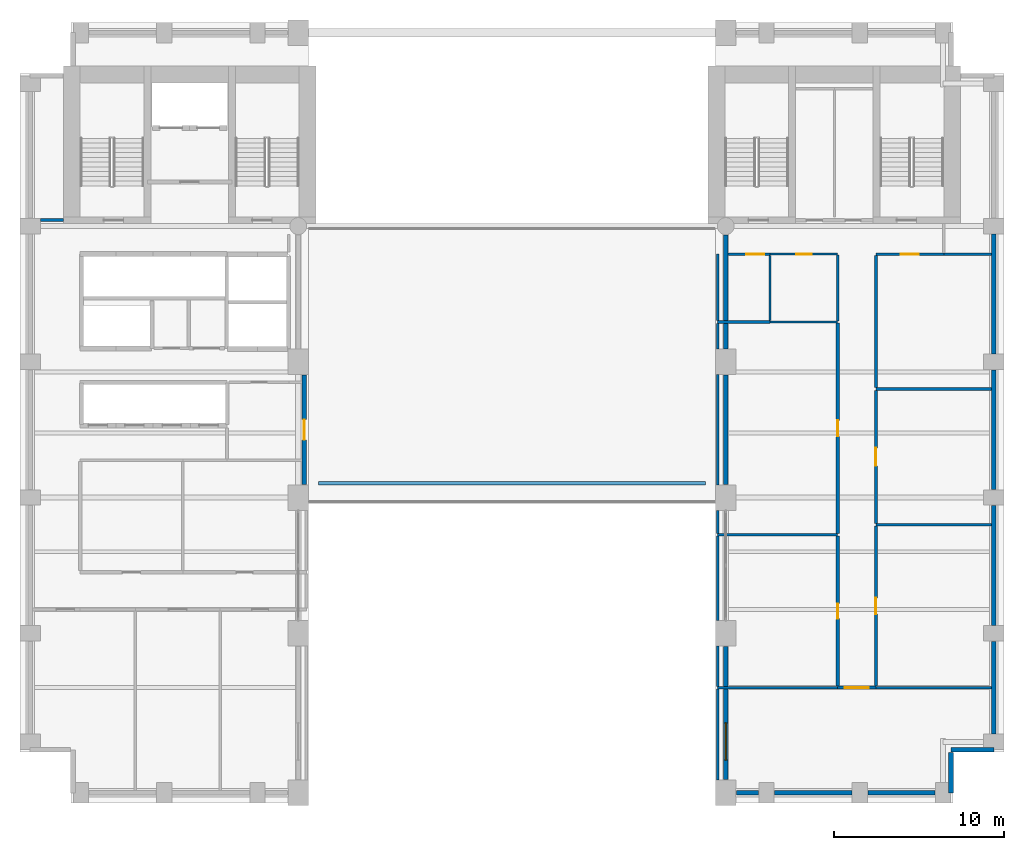
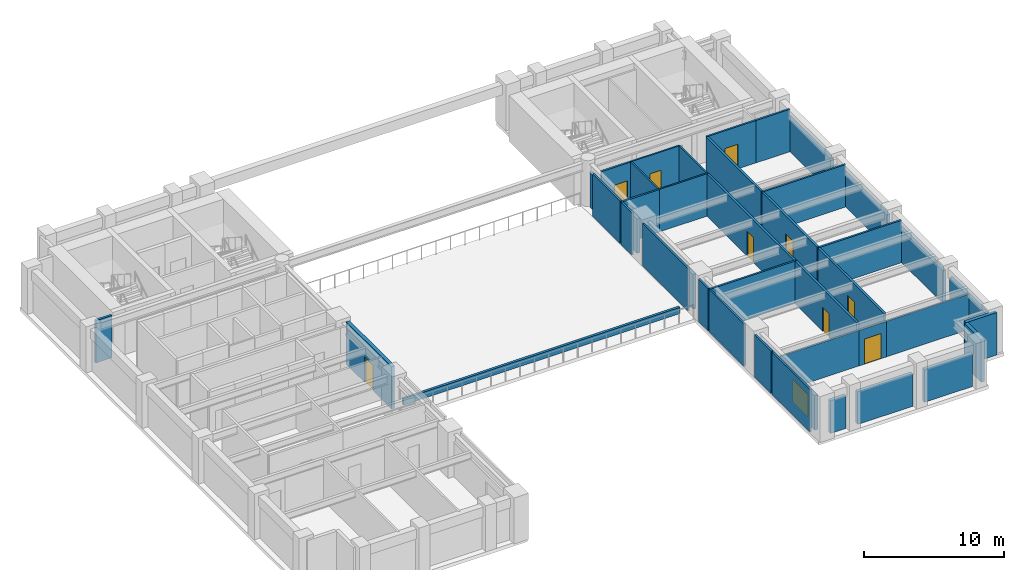
# One storey, part 6 of 12: 41 walls, 9 doors, 1 window, 10 openings.
"""IFC4 building model written with IfcOpenShell, lengths in metres."""

from ifc_helpers import new_model, si_unit, direction, frame, frame_2d, origin, place, context, subcontext, project, spatial, rectangle, extrude, material, layer, layer_set, type_object, element, fill, save


model = new_model("IFC4")

# Units and contexts
model_context = context("Model", 3, precision=1e-05, world=origin(), true_north=direction((0.0, 1.0)))
body_context = subcontext(model_context, "Body", "Model", "MODEL_VIEW")
ifc_project = project(units=[si_unit("LENGTHUNIT", "METRE"), si_unit("AREAUNIT", "SQUARE_METRE"), si_unit("VOLUMEUNIT", "CUBIC_METRE"), si_unit("PLANEANGLEUNIT", "RADIAN"), si_unit("MASSUNIT", "GRAM", prefix="KILO")], contexts=[model_context])

# Site, building, storey
site_placement = place(None, origin())
site = spatial("IfcSite", under=ifc_project, at=site_placement, CompositionType="ELEMENT")
building_placement = place(site_placement, origin())
building = spatial("IfcBuilding", under=site, at=building_placement, Name="Sulina Concourse Tower", CompositionType="ELEMENT")
storey_placement = place(building_placement, frame((0.0, 0.0, 38.60009765625)))
storey = spatial("IfcBuildingStorey", under=building, at=storey_placement, Name="L09", CompositionType="ELEMENT", Elevation=38.60009765625)

# Walls
ifc_material_1 = material(Name="Gypsum board on steel stud", Category="steel")
ifc_layer_1 = layer(ifc_material_1, 0.14990234375)
ifc_layer_set_1 = layer_set([ifc_layer_1], Name="Gypsum board on steel stud")
wall_type_1 = type_object("IfcWallType", Name="Inter-Tenancy Acoustic Partition 150mm", PredefinedType="PARTITIONING", material=ifc_layer_set_1)
wall_1_placement = place(storey_placement, frame((41.1201171875, 6.800048828125, 0.0), z_axis=(0.0, 0.0, 1.0), x_axis=(1.0, 0.0, 0.0)))
element("IfcWall", 1, at=wall_1_placement, inside=storey, type_object=wall_type_1, Name="L09 interior partition 001", PredefinedType="PARTITIONING", context=body_context, shape_type="SweptSolid", body=[
    extrude(rectangle(XDim=7.079833984375, YDim=0.14990234375, at=frame_2d((3.5400390625, 0.0))), origin(), (0.0, 0.0, 1.0), 3.094970703125),
])
wall_2_placement = place(storey_placement, frame((50.449951171875, 6.800048828125, 0.0), z_axis=(0.0, 0.0, 1.0), x_axis=(1.0, 0.0, 0.0)))
element("IfcWall", 2, at=wall_2_placement, inside=storey, type_object=wall_type_1, Name="L09 interior partition 003", PredefinedType="PARTITIONING", context=body_context, shape_type="SweptSolid", body=[
    extrude(rectangle(XDim=6.81005859375, YDim=0.14990234375, at=frame_2d((3.405029296875, 0.0))), origin(), (0.0, 0.0, 1.0), 3.094970703125),
])
wall_3_placement = place(storey_placement, frame((41.1201171875, 15.800048828125, 0.0), z_axis=(0.0, 0.0, 1.0), x_axis=(1.0, 0.0, 0.0)))
element("IfcWall", 3, at=wall_3_placement, inside=storey, type_object=wall_type_1, Name="L09 interior partition 010", PredefinedType="PARTITIONING", context=body_context, shape_type="SweptSolid", body=[
    extrude(rectangle(XDim=7.079833984375, YDim=0.14990234375, at=frame_2d((3.5400390625, 0.0))), origin(), (0.0, 0.0, 1.0), 3.699951171875),
])
for number, where, z_axis, x_axis, name in (
    (4, (50.449951171875, 16.39990234375, 0.0), (0.0, 0.0, 1.0), (1.0, 0.0, 0.0), "L09 interior partition 011"),
    (5, (50.449951171875, 24.39990234375, 0.0), (0.0, 0.0, 1.0), (1.0, 0.0, 0.0), "L09 interior partition 015"),
):
    element("IfcWall", number, at=place(storey_placement, frame(where, z_axis=z_axis, x_axis=x_axis)), inside=storey, type_object=wall_type_1, Name=name, PredefinedType="PARTITIONING", context=body_context, shape_type="SweptSolid", body=[
        extrude(rectangle(XDim=6.81005859375, YDim=0.14990234375, at=frame_2d((3.405029296875, 0.0))), origin(), (0.0, 0.0, 1.0), 3.699951171875),
    ])
wall_4_placement = place(storey_placement, frame((41.1201171875, 28.35009765625, 0.0), z_axis=(0.0, 0.0, 1.0), x_axis=(1.0, 0.0, 0.0)))
element("IfcWall", 6, at=wall_4_placement, inside=storey, type_object=wall_type_1, Name="L09 interior partition 020", PredefinedType="PARTITIONING", context=body_context, shape_type="SweptSolid", body=[
    extrude(rectangle(XDim=3.079833984375, YDim=0.14990234375, at=frame_2d((1.5400390625, 0.0))), origin(), (0.0, 0.0, 1.0), 3.699951171875),
])

# Wall, opening, door
wall_5_placement = place(storey_placement, frame((41.739990234375, 32.35009765625, 0.0), z_axis=(0.0, 0.0, 1.0), x_axis=(1.0, 0.0, 0.0)))
wall_5 = element("IfcWall", 7, at=wall_5_placement, inside=storey, type_object=wall_type_1, Name="L09 interior partition 022", PredefinedType="PARTITIONING", context=body_context, shape_type="SweptSolid", body=[
    extrude(rectangle(XDim=2.4599609375, YDim=0.14990234375, at=frame_2d((1.22998046875, 0.0))), origin(), (0.0, 0.0, 1.0), 3.699951171875),
])
opening_1_placement = place(wall_5_placement, frame((1.06494140625, 0.0, 0.0)))
opening_1 = element("IfcOpeningElement", 8, at=opening_1_placement, cuts=wall_5, Name="Opening DR-37", PredefinedType="OPENING", context=body_context, shape_type="SweptSolid", body=[
    extrude(rectangle(XDim=1.050048828125, YDim=2.14990234375, at=frame_2d((0.52490234375, 1.074951171875))), frame((0.0, 0.0849609375, 0.0), z_axis=(0.0, -1.0, 0.0), x_axis=(1.0, 0.0, 0.0)), (0.0, 0.0, 1.0), 0.169921875),
])
ifc_material_2 = material(Name="Oak-veneered fire door leaf")
ifc_layer_2 = layer(ifc_material_2, 0.050048828125)
ifc_layer_set_2 = layer_set([ifc_layer_2], Name="Oak-veneered fire door leaf")
door_type_1 = type_object("IfcDoorType", Name="Tenant Suite Entrance Fire Door 1050x2150", OperationType="NOTDEFINED", PredefinedType="DOOR", material=ifc_layer_set_2)
door_1_placement = place(opening_1_placement, origin())
door_1 = element("IfcDoor", 9, at=door_1_placement, inside=storey, type_object=door_type_1, Name="L09 interior door L09-REC-EW", OperationType="SINGLE_SWING_LEFT", OverallHeight=2.14990234375, OverallWidth=1.050048828125, PredefinedType="DOOR", context=body_context, shape_type="SweptSolid", body=[
    extrude(rectangle(XDim=1.050048828125, YDim=2.14990234375, at=frame_2d((0.52490234375, 1.074951171875))), frame((0.0, 0.02490234375, 0.0), z_axis=(0.0, -1.0, 0.0), x_axis=(1.0, 0.0, 0.0)), (0.0, 0.0, 1.0), 0.050048828125),
])
fill(opening_1, door_1)

wall_6_placement = place(storey_placement, frame((50.449951171875, 32.35009765625, 0.0), z_axis=(0.0, 0.0, 1.0), x_axis=(1.0, 0.0, 0.0)))
wall_6 = element("IfcWall", 10, at=wall_6_placement, inside=storey, type_object=wall_type_1, Name="L09 interior partition 024", PredefinedType="PARTITIONING", context=body_context, shape_type="SweptSolid", body=[
    extrude(rectangle(XDim=4.0, YDim=0.14990234375, at=frame_2d((2.0, 0.0))), origin(), (0.0, 0.0, 1.0), 3.699951171875),
])
opening_2_placement = place(wall_6_placement, frame((1.47509765625, 0.0, 0.0)))
opening_2 = element("IfcOpeningElement", 11, at=opening_2_placement, cuts=wall_6, Name="Opening DR-37", PredefinedType="OPENING", context=body_context, shape_type="SweptSolid", body=[
    extrude(rectangle(XDim=1.050048828125, YDim=2.14990234375, at=frame_2d((0.52490234375, 1.074951171875))), frame((0.0, 0.0849609375, 0.0), z_axis=(0.0, -1.0, 0.0), x_axis=(1.0, 0.0, 0.0)), (0.0, 0.0, 1.0), 0.169921875),
])
door_2_placement = place(opening_2_placement, origin())
door_2 = element("IfcDoor", 12, at=door_2_placement, inside=storey, type_object=door_type_1, Name="L09 interior door L09-OFF-E3", OperationType="SINGLE_SWING_LEFT", OverallHeight=2.14990234375, OverallWidth=1.050048828125, PredefinedType="DOOR", context=body_context, shape_type="SweptSolid", body=[
    extrude(rectangle(XDim=1.050048828125, YDim=2.14990234375, at=frame_2d((0.52490234375, 1.074951171875))), frame((0.0, 0.02490234375, 0.0), z_axis=(0.0, -1.0, 0.0), x_axis=(1.0, 0.0, 0.0)), (0.0, 0.0, 1.0), 0.050048828125),
])
fill(opening_2, door_2)

# Walls
wall_7_placement = place(storey_placement, frame((54.449951171875, 32.35009765625, 0.0), z_axis=(0.0, 0.0, 1.0), x_axis=(1.0, 0.0, 0.0)))
element("IfcWall", 13, at=wall_7_placement, inside=storey, type_object=wall_type_1, Name="L09 interior partition 025", PredefinedType="PARTITIONING", context=body_context, shape_type="SweptSolid", body=[
    extrude(rectangle(XDim=2.81005859375, YDim=0.14990234375, at=frame_2d((1.405029296875, 0.0))), origin(), (0.0, 0.0, 1.0), 3.699951171875),
])
wall_8_placement = place(storey_placement, frame((41.1201171875, 1.35009765625, 0.0), z_axis=(0.0, 0.0, 1.0), x_axis=(0.0, 1.0, 0.0)))
element("IfcWall", 14, at=wall_8_placement, inside=storey, type_object=wall_type_1, Name="L09 interior partition 039", PredefinedType="PARTITIONING", context=body_context, shape_type="SweptSolid", body=[
    extrude(rectangle(XDim=5.375, YDim=0.14990234375, at=frame_2d((2.6875, 0.0))), origin(), (0.0, 0.0, 1.0), 3.699951171875),
])
wall_9_placement = place(storey_placement, frame((41.1201171875, 6.875, 0.0), z_axis=(0.0, 0.0, 1.0), x_axis=(0.0, 1.0, 0.0)))
element("IfcWall", 15, at=wall_9_placement, inside=storey, type_object=wall_type_1, Name="L09 interior partition 040", PredefinedType="PARTITIONING", context=body_context, shape_type="SweptSolid", body=[
    extrude(rectangle(XDim=2.375, YDim=0.14990234375, at=frame_2d((1.1875, 0.0))), origin(), (0.0, 0.0, 1.0), 3.699951171875),
])
wall_10_placement = place(storey_placement, frame((41.1201171875, 10.75, 0.0), z_axis=(0.0, 0.0, 1.0), x_axis=(0.0, 1.0, 0.0)))
element("IfcWall", 16, at=wall_10_placement, inside=storey, type_object=wall_type_1, Name="L09 interior partition 041", PredefinedType="PARTITIONING", context=body_context, shape_type="SweptSolid", body=[
    extrude(rectangle(XDim=4.97509765625, YDim=0.14990234375, at=frame_2d((2.487548828125, 0.0))), origin(), (0.0, 0.0, 1.0), 3.699951171875),
])
wall_11_placement = place(storey_placement, frame((41.1201171875, 15.875, 0.0), z_axis=(0.0, 0.0, 1.0), x_axis=(0.0, 1.0, 0.0)))
element("IfcWall", 17, at=wall_11_placement, inside=storey, type_object=wall_type_1, Name="L09 interior partition 042", PredefinedType="PARTITIONING", context=body_context, shape_type="SweptSolid", body=[
    extrude(rectangle(XDim=1.375, YDim=0.14990234375, at=frame_2d((0.6875, 0.0))), origin(), (0.0, 0.0, 1.0), 3.699951171875),
])
wall_12_placement = place(storey_placement, frame((41.1201171875, 18.75, 0.0), z_axis=(0.0, 0.0, 1.0), x_axis=(0.0, 1.0, 0.0)))
element("IfcWall", 18, at=wall_12_placement, inside=storey, type_object=wall_type_1, Name="L09 interior partition 043", PredefinedType="PARTITIONING", context=body_context, shape_type="SweptSolid", body=[
    extrude(rectangle(XDim=6.5, YDim=0.14990234375, at=frame_2d((3.25, 0.0))), origin(), (0.0, 0.0, 1.0), 3.699951171875),
])
wall_13_placement = place(storey_placement, frame((41.1201171875, 26.75, 0.0), z_axis=(0.0, 0.0, 1.0), x_axis=(0.0, 1.0, 0.0)))
element("IfcWall", 19, at=wall_13_placement, inside=storey, type_object=wall_type_1, Name="L09 interior partition 044", PredefinedType="PARTITIONING", context=body_context, shape_type="SweptSolid", body=[
    extrude(rectangle(XDim=1.52490234375, YDim=0.14990234375, at=frame_2d((0.762451171875, 0.0))), origin(), (0.0, 0.0, 1.0), 3.699951171875),
])
wall_14_placement = place(storey_placement, frame((41.1201171875, 28.425048828125, 0.0), z_axis=(0.0, 0.0, 1.0), x_axis=(0.0, 1.0, 0.0)))
element("IfcWall", 20, at=wall_14_placement, inside=storey, type_object=wall_type_1, Name="L09 interior partition 045", PredefinedType="PARTITIONING", context=body_context, shape_type="SweptSolid", body=[
    extrude(rectangle(XDim=3.925048828125, YDim=0.14990234375, at=frame_2d((1.96240234375, 0.0))), origin(), (0.0, 0.0, 1.0), 3.699951171875),
])
ifc_material_3 = material(Name="Precast concrete C50/60", Category="concrete")
ifc_layer_3 = layer(ifc_material_3, 0.199951171875)
ifc_layer_set_3 = layer_set([ifc_layer_3], Name="Precast concrete C50/60")
wall_type_2 = type_object("IfcWallType", Name="Landscaped Terrace Planter Wall 200mm", PredefinedType="USERDEFINED", material=ifc_layer_set_3)
wall_15_placement = place(storey_placement, frame((17.60009765625, 18.85009765625, 0.0), z_axis=(0.0, 0.0, 1.0), x_axis=(1.0, 0.0, 0.0)))
element("IfcWall", 21, at=wall_15_placement, inside=storey, type_object=wall_type_2, Name="L09 landscaped terrace planter wall TER-LP3", ObjectType="PLANTER", PredefinedType="USERDEFINED", context=body_context, shape_type="SweptSolid", body=[
    extrude(rectangle(XDim=22.7998046875, YDim=0.199951171875, at=frame_2d((11.39990234375, 0.0))), origin(), (0.0, 0.0, 1.0), 0.5498046875),
])

# Wall, opening, door
ifc_material_4 = material(Name="Gypsum board on steel stud", Category="steel")
ifc_layer_4 = layer(ifc_material_4, 0.179931640625)
ifc_layer_set_4 = layer_set([ifc_layer_4], Name="Gypsum board on steel stud")
wall_type_3 = type_object("IfcWallType", Name="Protected Corridor & Riser Partition 180mm", PredefinedType="PARTITIONING", material=ifc_layer_set_4)
wall_16_placement = place(storey_placement, frame((48.199951171875, 6.800048828125, 0.0), z_axis=(0.0, 0.0, 1.0), x_axis=(1.0, 0.0, 0.0)))
wall_16 = element("IfcWall", 22, at=wall_16_placement, inside=storey, type_object=wall_type_3, Name="L09 interior partition 002", PredefinedType="PARTITIONING", context=body_context, shape_type="SweptSolid", body=[
    extrude(rectangle(XDim=2.25, YDim=0.179931640625, at=frame_2d((1.125, 0.0))), origin(), (0.0, 0.0, 1.0), 3.094970703125),
])
opening_3_placement = place(wall_16_placement, frame((0.425048828125, 0.0, 0.0)))
opening_3 = element("IfcOpeningElement", 23, at=opening_3_placement, cuts=wall_16, Name="Opening DR-57", PredefinedType="OPENING", context=body_context, shape_type="SweptSolid", body=[
    extrude(rectangle(XDim=1.39990234375, YDim=2.199951171875, at=frame_2d((0.699951171875, 1.10009765625))), frame((0.0, 0.099853515625, 0.0), z_axis=(0.0, -1.0, 0.0), x_axis=(1.0, 0.0, 0.0)), (0.0, 0.0, 1.0), 0.199951171875),
])
ifc_material_5 = material(Name="Oak-veneered fire door leaf")
ifc_layer_5 = layer(ifc_material_5, 0.054931640625)
ifc_layer_set_5 = layer_set([ifc_layer_5], Name="Oak-veneered fire door leaf")
door_type_2 = type_object("IfcDoorType", Name="Core Lift Lobby Double Fire Door 1400x2200", OperationType="DOUBLE_DOOR_SINGLE_SWING", PredefinedType="DOOR", material=ifc_layer_set_5)
door_3_placement = place(opening_3_placement, origin())
door_3 = element("IfcDoor", 24, at=door_3_placement, inside=storey, type_object=door_type_2, Name="L09 interior door L09-FOR-E1", OperationType="DOUBLE_DOOR_SINGLE_SWING", OverallHeight=2.199951171875, OverallWidth=1.39990234375, PredefinedType="DOOR", context=body_context, shape_type="SweptSolid", body=[
    extrude(rectangle(XDim=1.39990234375, YDim=2.199951171875, at=frame_2d((0.699951171875, 1.10009765625))), frame((0.0, 0.02490234375, 0.0), z_axis=(0.0, -1.0, 0.0), x_axis=(1.0, 0.0, 0.0)), (0.0, 0.0, 1.0), 0.050048828125),
])
fill(opening_3, door_3)

# Wall
wall_17_placement = place(storey_placement, frame((1.199951171875, 34.35009765625, 0.0), z_axis=(0.0, 0.0, 1.0), x_axis=(1.0, 0.0, 0.0)))
element("IfcWall", 25, at=wall_17_placement, inside=storey, type_object=wall_type_3, Name="L09 interior partition 026", PredefinedType="PARTITIONING", context=body_context, shape_type="SweptSolid", body=[
    extrude(rectangle(XDim=1.35009765625, YDim=0.179931640625, at=frame_2d((0.675048828125, 0.0))), origin(), (0.0, 0.0, 1.0), 3.699951171875),
])

# Wall, opening, door
wall_18_placement = place(storey_placement, frame((48.199951171875, 6.889892578125, 0.0), z_axis=(0.0, 0.0, 1.0), x_axis=(0.0, 1.0, 0.0)))
wall_18 = element("IfcWall", 26, at=wall_18_placement, inside=storey, type_object=wall_type_3, Name="L09 interior partition 048", PredefinedType="PARTITIONING", context=body_context, shape_type="SweptSolid", body=[
    extrude(rectangle(XDim=8.835205078125, YDim=0.179931640625, at=frame_2d((4.41748046875, 0.0))), origin(), (0.0, 0.0, 1.0), 3.699951171875),
])
opening_4_placement = place(wall_18_placement, frame((3.9775390625, 0.0, 0.0)))
opening_4 = element("IfcOpeningElement", 27, at=opening_4_placement, cuts=wall_18, Name="Opening DR-38", PredefinedType="OPENING", context=body_context, shape_type="SweptSolid", body=[
    extrude(rectangle(XDim=0.8798828125, YDim=2.10009765625, at=frame_2d((0.43994140625, 1.050048828125))), frame((0.0, 0.099853515625, 0.0), z_axis=(0.0, -1.0, 0.0), x_axis=(1.0, 0.0, 0.0)), (0.0, 0.0, 1.0), 0.199951171875),
])
ifc_material_6 = material(Name="Galvanised steel acoustic fire leaf", Category="steel")
ifc_layer_6 = layer(ifc_material_6, 0.050048828125)
ifc_layer_set_6 = layer_set([ifc_layer_6], Name="Galvanised steel acoustic fire leaf")
door_type_3 = type_object("IfcDoorType", Name="Service Riser Fire Door 880x2100", OperationType="NOTDEFINED", PredefinedType="DOOR", material=ifc_layer_set_6)
door_4_placement = place(opening_4_placement, origin())
door_4 = element("IfcDoor", 28, at=door_4_placement, inside=storey, type_object=door_type_3, Name="L09 interior door L09-STR-E1", OperationType="SINGLE_SWING_RIGHT", OverallHeight=2.10009765625, OverallWidth=0.8798828125, PredefinedType="DOOR", context=body_context, shape_type="SweptSolid", body=[
    extrude(rectangle(XDim=0.8798828125, YDim=2.10009765625, at=frame_2d((0.43994140625, 1.050048828125))), frame((0.0, 0.02490234375, 0.0), z_axis=(0.0, -1.0, 0.0), x_axis=(1.0, 0.0, 0.0)), (0.0, 0.0, 1.0), 0.050048828125),
])
fill(opening_4, door_4)

wall_19_placement = place(storey_placement, frame((48.199951171875, 15.875, 0.0), z_axis=(0.0, 0.0, 1.0), x_axis=(0.0, 1.0, 0.0)))
wall_19 = element("IfcWall", 29, at=wall_19_placement, inside=storey, type_object=wall_type_3, Name="L09 interior partition 049", PredefinedType="PARTITIONING", context=body_context, shape_type="SweptSolid", body=[
    extrude(rectangle(XDim=12.41259765625, YDim=0.179931640625, at=frame_2d((6.206298828125, 0.0))), origin(), (0.0, 0.0, 1.0), 3.699951171875),
])
opening_5_placement = place(wall_19_placement, frame((5.731201171875, 0.0, 0.0)))
opening_5 = element("IfcOpeningElement", 30, at=opening_5_placement, cuts=wall_19, Name="Opening DR-19", PredefinedType="OPENING", context=body_context, shape_type="SweptSolid", body=[
    extrude(rectangle(XDim=0.949951171875, YDim=2.14990234375, at=frame_2d((0.47509765625, 1.074951171875))), frame((0.0, 0.099853515625, 0.0), z_axis=(0.0, -1.0, 0.0), x_axis=(1.0, 0.0, 0.0)), (0.0, 0.0, 1.0), 0.199951171875),
])
ifc_material_7 = material(Name="Oak-veneered acoustic timber leaf", Category="wood")
ifc_layer_7 = layer(ifc_material_7, 0.050048828125)
ifc_layer_set_7 = layer_set([ifc_layer_7], Name="Oak-veneered acoustic timber leaf")
door_type_4 = type_object("IfcDoorType", Name="Cellular Office & Meeting Door 950x2150", OperationType="NOTDEFINED", PredefinedType="DOOR", material=ifc_layer_set_7)
door_5_placement = place(opening_5_placement, origin())
door_5 = element("IfcDoor", 31, at=door_5_placement, inside=storey, type_object=door_type_4, Name="L09 interior door L09-MTG-E2", OperationType="SINGLE_SWING_LEFT", OverallHeight=2.14990234375, OverallWidth=0.949951171875, PredefinedType="DOOR", context=body_context, shape_type="SweptSolid", body=[
    extrude(rectangle(XDim=0.949951171875, YDim=2.14990234375, at=frame_2d((0.47509765625, 1.074951171875))), frame((0.0, 0.02490234375, 0.0), z_axis=(0.0, -1.0, 0.0), x_axis=(1.0, 0.0, 0.0)), (0.0, 0.0, 1.0), 0.050048828125),
])
fill(opening_5, door_5)

wall_20_placement = place(storey_placement, frame((50.449951171875, 6.889892578125, 0.0), z_axis=(0.0, 0.0, 1.0), x_axis=(0.0, 1.0, 0.0)))
wall_20 = element("IfcWall", 32, at=wall_20_placement, inside=storey, type_object=wall_type_3, Name="L09 interior partition 051", PredefinedType="PARTITIONING", context=body_context, shape_type="SweptSolid", body=[
    extrude(rectangle(XDim=9.43505859375, YDim=0.179931640625, at=frame_2d((4.717529296875, 0.0))), origin(), (0.0, 0.0, 1.0), 3.699951171875),
])
opening_6_placement = place(wall_20_placement, frame((4.242431640625, 0.0, 0.0)))
opening_6 = element("IfcOpeningElement", 33, at=opening_6_placement, cuts=wall_20, Name="Opening DR-19", PredefinedType="OPENING", context=body_context, shape_type="SweptSolid", body=[
    extrude(rectangle(XDim=0.949951171875, YDim=2.14990234375, at=frame_2d((0.47509765625, 1.074951171875))), frame((0.0, 0.099853515625, 0.0), z_axis=(0.0, -1.0, 0.0), x_axis=(1.0, 0.0, 0.0)), (0.0, 0.0, 1.0), 0.199951171875),
])
door_6_placement = place(opening_6_placement, origin())
door_6 = element("IfcDoor", 34, at=door_6_placement, inside=storey, type_object=door_type_4, Name="L09 interior door L09-STD-E1", OperationType="SINGLE_SWING_RIGHT", OverallHeight=2.14990234375, OverallWidth=0.949951171875, PredefinedType="DOOR", context=body_context, shape_type="SweptSolid", body=[
    extrude(rectangle(XDim=0.949951171875, YDim=2.14990234375, at=frame_2d((0.47509765625, 1.074951171875))), frame((0.0, 0.02490234375, 0.0), z_axis=(0.0, -1.0, 0.0), x_axis=(1.0, 0.0, 0.0)), (0.0, 0.0, 1.0), 0.050048828125),
])
fill(opening_6, door_6)

wall_21_placement = place(storey_placement, frame((50.449951171875, 16.47509765625, 0.0), z_axis=(0.0, 0.0, 1.0), x_axis=(0.0, 1.0, 0.0)))
wall_21 = element("IfcWall", 35, at=wall_21_placement, inside=storey, type_object=wall_type_3, Name="L09 interior partition 052", PredefinedType="PARTITIONING", context=body_context, shape_type="SweptSolid", body=[
    extrude(rectangle(XDim=7.849853515625, YDim=0.179931640625, at=frame_2d((3.9248046875, 0.0))), origin(), (0.0, 0.0, 1.0), 3.699951171875),
])
opening_7_placement = place(wall_21_placement, frame((3.39990234375, 0.0, 0.0)))
opening_7 = element("IfcOpeningElement", 36, at=opening_7_placement, cuts=wall_21, Name="Opening DR-37", PredefinedType="OPENING", context=body_context, shape_type="SweptSolid", body=[
    extrude(rectangle(XDim=1.050048828125, YDim=2.14990234375, at=frame_2d((0.52490234375, 1.074951171875))), frame((0.0, 0.099853515625, 0.0), z_axis=(0.0, -1.0, 0.0), x_axis=(1.0, 0.0, 0.0)), (0.0, 0.0, 1.0), 0.199951171875),
])
door_7_placement = place(opening_7_placement, origin())
door_7 = element("IfcDoor", 37, at=door_7_placement, inside=storey, type_object=door_type_1, Name="L09 interior door L09-OFF-E2", OperationType="SINGLE_SWING_LEFT", OverallHeight=2.14990234375, OverallWidth=1.050048828125, PredefinedType="DOOR", context=body_context, shape_type="SweptSolid", body=[
    extrude(rectangle(XDim=1.050048828125, YDim=2.14990234375, at=frame_2d((0.52490234375, 1.074951171875))), frame((0.0, 0.02490234375, 0.0), z_axis=(0.0, -1.0, 0.0), x_axis=(1.0, 0.0, 0.0)), (0.0, 0.0, 1.0), 0.050048828125),
])
fill(opening_7, door_7)

# Walls
wall_22_placement = place(storey_placement, frame((50.449951171875, 24.47509765625, 0.0), z_axis=(0.0, 0.0, 1.0), x_axis=(0.0, 1.0, 0.0)))
element("IfcWall", 38, at=wall_22_placement, inside=storey, type_object=wall_type_3, Name="L09 interior partition 053", PredefinedType="PARTITIONING", context=body_context, shape_type="SweptSolid", body=[
    extrude(rectangle(XDim=7.7998046875, YDim=0.179931640625, at=frame_2d((3.89990234375, 0.0))), origin(), (0.0, 0.0, 1.0), 3.699951171875),
])
ifc_material_8 = material(Name="Precast concrete C50/60", Category="concrete")
ifc_layer_8 = layer(ifc_material_8, 0.280029296875)
ifc_layer_set_8 = layer_set([ifc_layer_8], Name="Precast concrete C50/60")
wall_type_4 = type_object("IfcWallType", Name="Typical Precast Masonry-Frame Facade Wall 280mm", PredefinedType="SOLIDWALL", material=ifc_layer_set_8)
wall_23_placement = place(storey_placement, frame((43.530029296875, 0.60009765625, 0.0), z_axis=(0.0, 0.0, 1.0), x_axis=(-1.0, 0.0, 0.0)))
element("IfcWall", 39, at=wall_23_placement, inside=storey, type_object=wall_type_4, Name="L09 exterior precast wall S5", PredefinedType="SOLIDWALL", context=body_context, shape_type="SweptSolid", body=[
    extrude(rectangle(XDim=1.31005859375, YDim=0.280029296875, at=frame_2d((0.655029296875, 0.0))), origin(), (0.0, 0.0, 1.0), 2.849853515625),
])
wall_24_placement = place(storey_placement, frame((49.030029296875, 0.60009765625, 0.0), z_axis=(0.0, 0.0, 1.0), x_axis=(-1.0, 0.0, 0.0)))
element("IfcWall", 40, at=wall_24_placement, inside=storey, type_object=wall_type_4, Name="L09 exterior precast wall S6", PredefinedType="SOLIDWALL", context=body_context, shape_type="SweptSolid", body=[
    extrude(rectangle(XDim=4.56005859375, YDim=0.280029296875, at=frame_2d((2.280029296875, 0.0))), origin(), (0.0, 0.0, 1.0), 2.849853515625),
])
wall_25_placement = place(storey_placement, frame((53.929931640625, 0.60009765625, 0.0), z_axis=(0.0, 0.0, 1.0), x_axis=(-1.0, 0.0, 0.0)))
element("IfcWall", 41, at=wall_25_placement, inside=storey, type_object=wall_type_4, Name="L09 exterior precast wall S7", PredefinedType="SOLIDWALL", context=body_context, shape_type="SweptSolid", body=[
    extrude(rectangle(XDim=3.9599609375, YDim=0.280029296875, at=frame_2d((1.97998046875, 0.0))), origin(), (0.0, 0.0, 1.0), 2.849853515625),
])
wall_26_placement = place(storey_placement, frame((57.39990234375, 9.530029296875, 0.0), z_axis=(0.0, 0.0, 1.0), x_axis=(0.0, -1.0, 0.0)))
element("IfcWall", 42, at=wall_26_placement, inside=storey, type_object=wall_type_4, Name="L09 exterior precast wall E1", PredefinedType="SOLIDWALL", context=body_context, shape_type="SweptSolid", body=[
    extrude(rectangle(XDim=5.4599609375, YDim=0.280029296875, at=frame_2d((2.72998046875, 0.0))), origin(), (0.0, 0.0, 1.0), 2.849853515625),
])
for number, where, z_axis, x_axis, name in (
    (43, (57.39990234375, 17.530029296875, 0.0), (0.0, 0.0, 1.0), (0.0, -1.0, 0.0), "L09 exterior precast wall E2"),
    (44, (57.39990234375, 25.530029296875, 0.0), (0.0, 0.0, 1.0), (0.0, -1.0, 0.0), "L09 exterior precast wall E3"),
    (45, (57.39990234375, 33.530029296875, 0.0), (0.0, 0.0, 1.0), (0.0, -1.0, 0.0), "L09 exterior precast wall E4"),
):
    element("IfcWall", number, at=place(storey_placement, frame(where, z_axis=z_axis, x_axis=x_axis)), inside=storey, type_object=wall_type_4, Name=name, PredefinedType="SOLIDWALL", context=body_context, shape_type="SweptSolid", body=[
        extrude(rectangle(XDim=7.06005859375, YDim=0.280029296875, at=frame_2d((3.530029296875, 0.0))), origin(), (0.0, 0.0, 1.0), 2.849853515625),
    ])
wall_27_placement = place(storey_placement, frame((57.39990234375, 3.1298828125, 0.0), z_axis=(0.0, 0.0, 1.0), x_axis=(-1.0, 0.0, 0.0)))
element("IfcWall", 46, at=wall_27_placement, inside=storey, type_object=wall_type_4, Name="L09 exterior precast wall CSE1", PredefinedType="SOLIDWALL", context=body_context, shape_type="SweptSolid", body=[
    extrude(rectangle(XDim=2.52978515625, YDim=0.280029296875, at=frame_2d((1.264892578125, 0.0))), origin(), (0.0, 0.0, 1.0), 3.699951171875),
])
wall_28_placement = place(storey_placement, frame((54.8701171875, 2.985107421875, 0.0), z_axis=(0.0, 0.0, 1.0), x_axis=(0.0, -1.0, 0.0)))
element("IfcWall", 47, at=wall_28_placement, inside=storey, type_object=wall_type_4, Name="L09 exterior precast wall CSE2", PredefinedType="SOLIDWALL", context=body_context, shape_type="SweptSolid", body=[
    extrude(rectangle(XDim=2.385009765625, YDim=0.280029296875, at=frame_2d((1.1923828125, 0.0))), origin(), (0.0, 0.0, 1.0), 3.699951171875),
])

# Wall, opening, window
wall_29_placement = place(storey_placement, frame((41.60009765625, 1.3701171875, 0.0), z_axis=(0.0, 0.0, 1.0), x_axis=(0.0, 1.0, 0.0)))
wall_29 = element("IfcWall", 48, at=wall_29_placement, inside=storey, type_object=wall_type_4, Name="L09 exterior precast wall PE1", PredefinedType="SOLIDWALL", context=body_context, shape_type="SweptSolid", body=[
    extrude(rectangle(XDim=7.85986328125, YDim=0.280029296875, at=frame_2d((3.929931640625, 0.0))), origin(), (0.0, 0.0, 1.0), 3.0),
])
opening_8_placement = place(wall_29_placement, frame((1.1533203125, 0.0, 0.419921875)))
opening_8 = element("IfcOpeningElement", 49, at=opening_8_placement, cuts=wall_29, Name="Opening WN-76", PredefinedType="OPENING", context=body_context, shape_type="SweptSolid", body=[
    extrude(rectangle(XDim=2.199951171875, YDim=1.949951171875, at=frame_2d((1.10009765625, 0.97509765625))), frame((0.0, 0.14990234375, 0.0), z_axis=(0.0, -1.0, 0.0), x_axis=(1.0, 0.0, 0.0)), (0.0, 0.0, 1.0), 0.300048828125),
])
ifc_material_9 = material(Name="Low-E solar double glazing in bronze aluminium", Category="aluminium")
window_type = type_object("IfcWindowType", Name="Recessed Spandrel Window 2200x1950", PartitioningType="DOUBLE_PANEL_VERTICAL", PredefinedType="WINDOW", material=ifc_material_9)
window_placement = place(opening_8_placement, origin())
window = element("IfcWindow", 50, at=window_placement, inside=storey, type_object=window_type, Name="L09 punched window PE1-1", OverallHeight=1.949951171875, OverallWidth=2.199951171875, PartitioningType="SINGLE_PANEL", PredefinedType="WINDOW", context=body_context, shape_type="SweptSolid", body=[
    extrude(rectangle(XDim=2.199951171875, YDim=1.949951171875, at=frame_2d((1.10009765625, 0.97509765625))), frame((0.0, 0.030029296875, 0.0), z_axis=(0.0, -1.0, 0.0), x_axis=(1.0, 0.0, 0.0)), (0.0, 0.0, 1.0), 0.06005859375),
])
fill(opening_8, window)

# Wall, opening, door
wall_30_placement = place(storey_placement, frame((16.75, 25.22998046875, 0.0), z_axis=(0.0, 0.0, 1.0), x_axis=(0.0, -1.0, 0.0)))
wall_30 = element("IfcWall", 51, at=wall_30_placement, inside=storey, type_object=wall_type_4, Name="L09 exterior precast wall PW3", PredefinedType="SOLIDWALL", context=body_context, shape_type="SweptSolid", body=[
    extrude(rectangle(XDim=6.4599609375, YDim=0.280029296875, at=frame_2d((3.22998046875, 0.0))), origin(), (0.0, 0.0, 1.0), 3.699951171875),
])
opening_9_placement = place(wall_30_placement, frame((2.6298828125, 0.0, 0.0)))
opening_9 = element("IfcOpeningElement", 52, at=opening_9_placement, cuts=wall_30, Name="Opening DR-22", PredefinedType="OPENING", context=body_context, shape_type="SweptSolid", body=[
    extrude(rectangle(XDim=1.199951171875, YDim=2.25, at=frame_2d((0.60009765625, 1.125))), frame((0.0, 0.14990234375, 0.0), z_axis=(0.0, -1.0, 0.0), x_axis=(1.0, 0.0, 0.0)), (0.0, 0.0, 1.0), 0.300048828125),
])
ifc_material_10 = material(Name="Anodised bronze aluminium and glazed leaf", Category="aluminium")
ifc_layer_9 = layer(ifc_material_10, 0.054931640625)
ifc_layer_set_9 = layer_set([ifc_layer_9], Name="Anodised bronze aluminium and glazed leaf")
door_type_5 = type_object("IfcDoorType", Name="Planted Terrace & Sky-Deck Door 1200x2250", OperationType="NOTDEFINED", PredefinedType="DOOR", material=ifc_layer_set_9)
door_8_placement = place(opening_9_placement, origin())
door_8 = element("IfcDoor", 53, at=door_8_placement, inside=storey, type_object=door_type_5, Name="L09 exterior door TD-PW", OperationType="SINGLE_SWING_RIGHT", OverallHeight=2.25, OverallWidth=1.199951171875, PredefinedType="DOOR", context=body_context, shape_type="SweptSolid", body=[
    extrude(rectangle(XDim=1.199951171875, YDim=2.25, at=frame_2d((0.60009765625, 1.125))), frame((0.0, 0.02490234375, 0.0), z_axis=(0.0, -1.0, 0.0), x_axis=(1.0, 0.0, 0.0)), (0.0, 0.0, 1.0), 0.050048828125),
])
fill(opening_9, door_8)

# Walls
wall_31_placement = place(storey_placement, frame((41.60009765625, 18.77001953125, 0.0), z_axis=(0.0, 0.0, 1.0), x_axis=(0.0, 1.0, 0.0)))
element("IfcWall", 54, at=wall_31_placement, inside=storey, type_object=wall_type_4, Name="L09 exterior precast wall PE3", PredefinedType="SOLIDWALL", context=body_context, shape_type="SweptSolid", body=[
    extrude(rectangle(XDim=6.4599609375, YDim=0.280029296875, at=frame_2d((3.22998046875, 0.0))), origin(), (0.0, 0.0, 1.0), 3.0),
])
wall_32_placement = place(storey_placement, frame((41.60009765625, 26.77001953125, 0.0), z_axis=(0.0, 0.0, 1.0), x_axis=(0.0, 1.0, 0.0)))
element("IfcWall", 55, at=wall_32_placement, inside=storey, type_object=wall_type_4, Name="L09 exterior precast wall PE4", PredefinedType="SOLIDWALL", context=body_context, shape_type="SweptSolid", body=[
    extrude(rectangle(XDim=6.7099609375, YDim=0.280029296875, at=frame_2d((3.35498046875, 0.0))), origin(), (0.0, 0.0, 1.0), 3.0),
])
ifc_material_11 = material(Name="Gypsum board on steel stud", Category="steel")
ifc_layer_10 = layer(ifc_material_11, 0.125)
ifc_layer_set_10 = layer_set([ifc_layer_10], Name="Gypsum board on steel stud")
wall_type_5 = type_object("IfcWallType", Name="Wet-Area Moisture-Resistant Partition 125mm", PredefinedType="PARTITIONING", material=ifc_layer_set_10)
wall_33_placement = place(storey_placement, frame((44.199951171875, 28.35009765625, 0.0), z_axis=(0.0, 0.0, 1.0), x_axis=(1.0, 0.0, 0.0)))
element("IfcWall", 56, at=wall_33_placement, inside=storey, type_object=wall_type_5, Name="L09 interior partition 021", PredefinedType="PARTITIONING", context=body_context, shape_type="SweptSolid", body=[
    extrude(rectangle(XDim=4.0, YDim=0.125, at=frame_2d((2.0, 0.0))), origin(), (0.0, 0.0, 1.0), 3.699951171875),
])

# Wall, opening, door
wall_34_placement = place(storey_placement, frame((44.199951171875, 32.35009765625, 0.0), z_axis=(0.0, 0.0, 1.0), x_axis=(1.0, 0.0, 0.0)))
wall_34 = element("IfcWall", 57, at=wall_34_placement, inside=storey, type_object=wall_type_5, Name="L09 interior partition 023", PredefinedType="PARTITIONING", context=body_context, shape_type="SweptSolid", body=[
    extrude(rectangle(XDim=4.0, YDim=0.125, at=frame_2d((2.0, 0.0))), origin(), (0.0, 0.0, 1.0), 3.699951171875),
])
opening_10_placement = place(wall_34_placement, frame((1.5400390625, 0.0, 0.0)))
opening_10 = element("IfcOpeningElement", 58, at=opening_10_placement, cuts=wall_34, Name="Opening DR-61", PredefinedType="OPENING", context=body_context, shape_type="SweptSolid", body=[
    extrude(rectangle(XDim=0.919921875, YDim=2.10009765625, at=frame_2d((0.4599609375, 1.050048828125))), frame((0.0, 0.072509765625, 0.0), z_axis=(0.0, -1.0, 0.0), x_axis=(1.0, 0.0, 0.0)), (0.0, 0.0, 1.0), 0.14501953125),
])
ifc_material_12 = material(Name="Oak-veneered fire door leaf")
ifc_layer_11 = layer(ifc_material_12, 0.050048828125)
ifc_layer_set_11 = layer_set([ifc_layer_11], Name="Oak-veneered fire door leaf")
door_type_6 = type_object("IfcDoorType", Name="Accessible WC Door 920x2100", OperationType="NOTDEFINED", PredefinedType="DOOR", material=ifc_layer_set_11)
door_9_placement = place(opening_10_placement, origin())
door_9 = element("IfcDoor", 59, at=door_9_placement, inside=storey, type_object=door_type_6, Name="L09 interior door L09-WC-EA", OperationType="SINGLE_SWING_RIGHT", OverallHeight=2.10009765625, OverallWidth=0.919921875, PredefinedType="DOOR", context=body_context, shape_type="SweptSolid", body=[
    extrude(rectangle(XDim=0.919921875, YDim=2.10009765625, at=frame_2d((0.4599609375, 1.050048828125))), frame((0.0, 0.02490234375, 0.0), z_axis=(0.0, -1.0, 0.0), x_axis=(1.0, 0.0, 0.0)), (0.0, 0.0, 1.0), 0.050048828125),
])
fill(opening_10, door_9)

# Walls
wall_35_placement = place(storey_placement, frame((44.199951171875, 28.425048828125, 0.0), z_axis=(0.0, 0.0, 1.0), x_axis=(0.0, 1.0, 0.0)))
element("IfcWall", 60, at=wall_35_placement, inside=storey, type_object=wall_type_5, Name="L09 interior partition 046", PredefinedType="PARTITIONING", context=body_context, shape_type="SweptSolid", body=[
    extrude(rectangle(XDim=3.849853515625, YDim=0.125, at=frame_2d((1.9248046875, 0.0))), origin(), (0.0, 0.0, 1.0), 3.699951171875),
])
wall_36_placement = place(storey_placement, frame((48.199951171875, 28.41259765625, 0.0), z_axis=(0.0, 0.0, 1.0), x_axis=(0.0, 1.0, 0.0)))
element("IfcWall", 61, at=wall_36_placement, inside=storey, type_object=wall_type_5, Name="L09 interior partition 050", PredefinedType="PARTITIONING", context=body_context, shape_type="SweptSolid", body=[
    extrude(rectangle(XDim=3.875, YDim=0.125, at=frame_2d((1.9375, 0.0))), origin(), (0.0, 0.0, 1.0), 3.699951171875),
])

save(model, "model.ifc")
